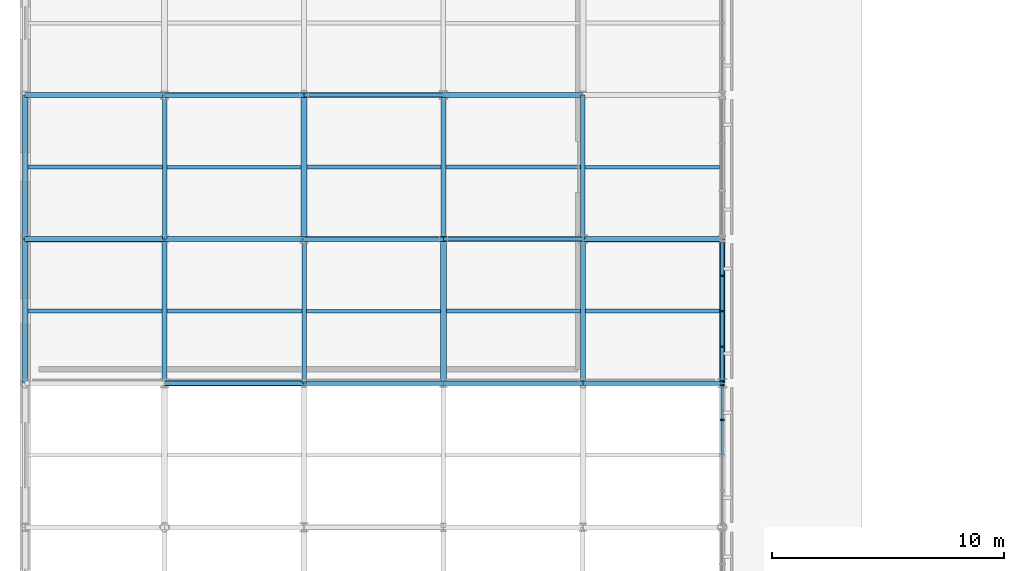
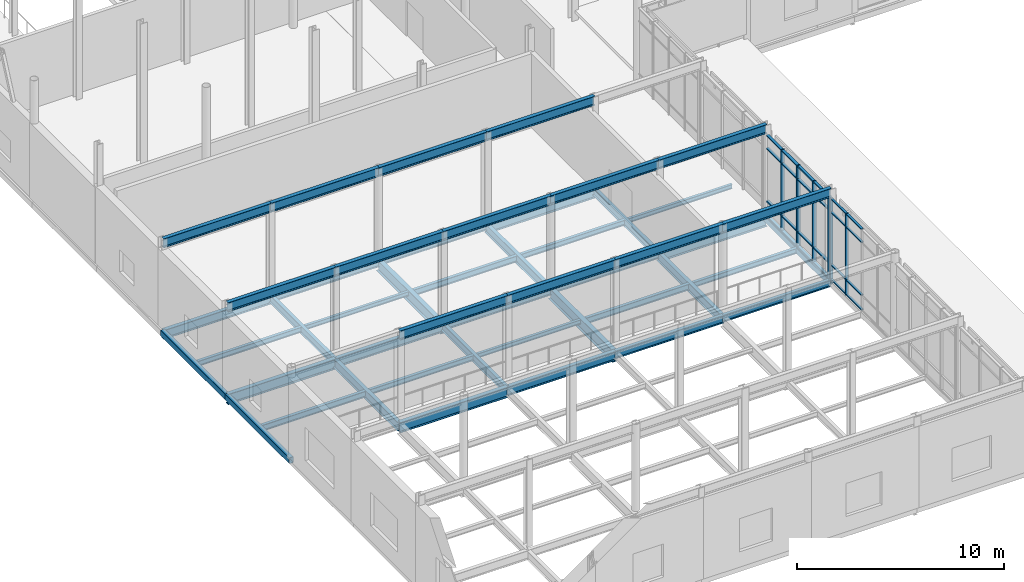
# One storey, part 21 of 105: 47 beams, 30 members, 2 elements without a shape of their own.
"""IFC4 building model written with IfcOpenShell, lengths in metres."""

from ifc_helpers import new_model, si_unit, direction, frame, origin, origin_2d, place, context, subcontext, project, spatial, rectangle, hollow_rectangle, i_section, extrude, material, layer, layer_set, material_profile, profile_set, type_object, element, aggregate, save


model = new_model("IFC4")

# Units and contexts
model_context = context("Model", 3, precision=1e-05, world=origin(), true_north=direction((0.0, 1.0)))
body_context = subcontext(model_context, "Body", "Model", "MODEL_VIEW")
ifc_project = project(units=[si_unit("LENGTHUNIT", "METRE"), si_unit("AREAUNIT", "SQUARE_METRE"), si_unit("VOLUMEUNIT", "CUBIC_METRE"), si_unit("PLANEANGLEUNIT", "RADIAN"), si_unit("MASSUNIT", "GRAM", prefix="KILO")], contexts=[model_context])

# Site, building, storey
site_placement = place(None, origin())
site = spatial("IfcSite", under=ifc_project, at=site_placement, CompositionType="ELEMENT")
building_placement = place(site_placement, origin())
building = spatial("IfcBuilding", under=site, at=building_placement, Name="Mirzam Square Science Centre", CompositionType="ELEMENT")
storey_placement = place(building_placement, frame((0.0, 0.0, 5.39990234375)))
storey = spatial("IfcBuildingStorey", under=building, at=storey_placement, Name="L01", CompositionType="ELEMENT", Elevation=5.39990234375)

# Beams
ifc_material_1 = material(Name="Steel S355", Category="steel")
ifc_material_profile_1 = material_profile(ifc_material_1, i_section(OverallWidth=0.1787109375, OverallDepth=0.409423828125, WebThickness=0.0087890625, FlangeThickness=0.014404296875, FilletRadius=0.01025390625, at=origin_2d()), Name="406x178x67UB")
ifc_profile_set_1 = profile_set([ifc_material_profile_1], Name="Steel S355")
beam_type_1 = type_object("IfcBeamType", Name="BM-UB406", PredefinedType="BEAM", material=ifc_profile_set_1)
for number, where, z_axis, x_axis, name in (
    (1, (24.0, 18.60009765625, -0.464599609375), (1.0, 0.0, 0.0), (0.0, 1.0, 0.0), "L01 girder X5-4"),
    (2, (18.0, 24.800048828125, -0.464599609375), (1.0, 0.0, 0.0), (0.0, 1.0, 0.0), "L01 girder X4-5"),
    (3, (12.0, 31.0, -0.464599609375), (1.0, 0.0, 0.0), (0.0, 1.0, 0.0), "L01 girder X3-6"),
):
    element("IfcBeam", number, at=place(storey_placement, frame(where, z_axis=z_axis, x_axis=x_axis)), inside=storey, type_object=beam_type_1, Name=name, PredefinedType="BEAM", context=body_context, shape_type="SweptSolid", body=[
        extrude(i_section(OverallWidth=0.1787109375, OverallDepth=0.409423828125, WebThickness=0.0087890625, FlangeThickness=0.014404296875, FilletRadius=0.01025390625, at=origin_2d()), origin(), (0.0, 0.0, 1.0), 6.0),
    ])
ifc_material_profile_2 = material_profile(ifc_material_1, i_section(OverallWidth=0.19140625, OverallDepth=0.4599609375, WebThickness=0.010009765625, FlangeThickness=0.01611328125, FilletRadius=0.01025390625, at=origin_2d()), Name="457x191x82UB")
ifc_profile_set_2 = profile_set([ifc_material_profile_2], Name="Steel S355")
beam_type_2 = type_object("IfcBeamType", Name="BM-UB457", PredefinedType="BEAM", material=ifc_profile_set_2)
for number, where, z_axis, x_axis, name in (
    (4, (18.0, 18.60009765625, -0.489990234375), (1.0, 0.0, 0.0), (0.0, 1.0, 0.0), "L01 girder X4-4"),
    (5, (12.0, 24.800048828125, -0.489990234375), (1.0, 0.0, 0.0), (0.0, 1.0, 0.0), "L01 girder X3-5"),
    (6, (6.0, 31.0, -0.489990234375), (1.0, 0.0, 0.0), (0.0, 1.0, 0.0), "L01 girder X2-6"),
):
    element("IfcBeam", number, at=place(storey_placement, frame(where, z_axis=z_axis, x_axis=x_axis)), inside=storey, type_object=beam_type_2, Name=name, PredefinedType="BEAM", context=body_context, shape_type="SweptSolid", body=[
        extrude(i_section(OverallWidth=0.19140625, OverallDepth=0.4599609375, WebThickness=0.010009765625, FlangeThickness=0.01611328125, FilletRadius=0.01025390625, at=origin_2d()), origin(), (0.0, 0.0, 1.0), 6.0),
    ])
for number, where, z_axis, x_axis, name in (
    (7, (6.0, 24.800048828125, -0.489990234375), (0.0, 1.0, 0.0), (-1.0, 0.0, 0.0), "L01 girder Y2-5"),
    (8, (12.0, 18.60009765625, -0.489990234375), (0.0, 1.0, 0.0), (-1.0, 0.0, 0.0), "L01 girder Y3-4"),
    (9, (24.0, 24.800048828125, -0.489990234375), (0.0, 1.0, 0.0), (-1.0, 0.0, 0.0), "L01 girder Y5-5"),
):
    element("IfcBeam", number, at=place(storey_placement, frame(where, z_axis=z_axis, x_axis=x_axis)), inside=storey, type_object=beam_type_2, Name=name, PredefinedType="BEAM", context=body_context, shape_type="SweptSolid", body=[
        extrude(i_section(OverallWidth=0.19140625, OverallDepth=0.4599609375, WebThickness=0.010009765625, FlangeThickness=0.01611328125, FilletRadius=0.01025390625, at=origin_2d()), origin(), (0.0, 0.0, 1.0), 6.199951171875),
    ])
ifc_material_profile_3 = material_profile(ifc_material_1, i_section(OverallWidth=0.2099609375, OverallDepth=0.53662109375, WebThickness=0.0107421875, FlangeThickness=0.017333984375, FilletRadius=0.0126953125, at=origin_2d()), Name="533x210x101UB")
ifc_profile_set_3 = profile_set([ifc_material_profile_3], Name="Steel S355")
beam_type_3 = type_object("IfcBeamType", Name="BM-UB533", PredefinedType="BEAM", material=ifc_profile_set_3)
for number, where, z_axis, x_axis, name in (
    (10, (12.0, 18.60009765625, -0.5283203125), (1.0, 0.0, 0.0), (0.0, 1.0, 0.0), "L01 girder X3-4"),
    (11, (6.0, 24.800048828125, -0.5283203125), (1.0, 0.0, 0.0), (0.0, 1.0, 0.0), "L01 girder X2-5"),
    (12, (0.0, 31.0, -0.5283203125), (1.0, 0.0, 0.0), (0.0, 1.0, 0.0), "L01 girder X1-6"),
):
    element("IfcBeam", number, at=place(storey_placement, frame(where, z_axis=z_axis, x_axis=x_axis)), inside=storey, type_object=beam_type_3, Name=name, PredefinedType="BEAM", context=body_context, shape_type="SweptSolid", body=[
        extrude(i_section(OverallWidth=0.2099609375, OverallDepth=0.53662109375, WebThickness=0.0107421875, FlangeThickness=0.017333984375, FilletRadius=0.0126953125, at=origin_2d()), origin(), (0.0, 0.0, 1.0), 6.0),
    ])
for number, where, z_axis, x_axis, name in (
    (13, (6.0, 18.60009765625, -0.5283203125), (0.0, 1.0, 0.0), (-1.0, 0.0, 0.0), "L01 girder Y2-4"),
    (14, (18.0, 24.800048828125, -0.5283203125), (0.0, 1.0, 0.0), (-1.0, 0.0, 0.0), "L01 girder Y4-5"),
    (15, (24.0, 18.60009765625, -0.5283203125), (0.0, 1.0, 0.0), (-1.0, 0.0, 0.0), "L01 girder Y5-4"),
):
    element("IfcBeam", number, at=place(storey_placement, frame(where, z_axis=z_axis, x_axis=x_axis)), inside=storey, type_object=beam_type_3, Name=name, PredefinedType="BEAM", context=body_context, shape_type="SweptSolid", body=[
        extrude(i_section(OverallWidth=0.2099609375, OverallDepth=0.53662109375, WebThickness=0.0107421875, FlangeThickness=0.017333984375, FilletRadius=0.0126953125, at=origin_2d()), origin(), (0.0, 0.0, 1.0), 6.199951171875),
    ])
for number, where, z_axis, x_axis, name in (
    (16, (6.0, 18.60009765625, 4.86181640625), (1.0, 0.0, 0.0), (0.0, 1.0, 0.0), "SW gallery roof girder 2-4"),
    (17, (12.0, 18.60009765625, 4.86181640625), (1.0, 0.0, 0.0), (0.0, 1.0, 0.0), "SW gallery roof girder 3-4"),
    (18, (18.0, 18.60009765625, 4.86181640625), (1.0, 0.0, 0.0), (0.0, 1.0, 0.0), "SW gallery roof girder 4-4"),
    (19, (24.0, 18.60009765625, 4.86181640625), (1.0, 0.0, 0.0), (0.0, 1.0, 0.0), "SW gallery roof girder 5-4"),
    (20, (0.0, 24.800048828125, 4.86181640625), (1.0, 0.0, 0.0), (0.0, 1.0, 0.0), "SW gallery roof girder 1-5"),
    (21, (6.0, 24.800048828125, 4.86181640625), (1.0, 0.0, 0.0), (0.0, 1.0, 0.0), "SW gallery roof girder 2-5"),
    (22, (12.0, 24.800048828125, 4.86181640625), (1.0, 0.0, 0.0), (0.0, 1.0, 0.0), "SW gallery roof girder 3-5"),
    (23, (18.0, 24.800048828125, 4.86181640625), (1.0, 0.0, 0.0), (0.0, 1.0, 0.0), "SW gallery roof girder 4-5"),
    (24, (24.0, 24.800048828125, 4.86181640625), (1.0, 0.0, 0.0), (0.0, 1.0, 0.0), "SW gallery roof girder 5-5"),
    (25, (0.0, 31.0, 4.86181640625), (1.0, 0.0, 0.0), (0.0, 1.0, 0.0), "SW gallery roof girder 1-6"),
    (26, (6.0, 31.0, 4.86181640625), (1.0, 0.0, 0.0), (0.0, 1.0, 0.0), "SW gallery roof girder 2-6"),
    (27, (12.0, 31.0, 4.86181640625), (1.0, 0.0, 0.0), (0.0, 1.0, 0.0), "SW gallery roof girder 3-6"),
    (28, (18.0, 31.0, 4.86181640625), (1.0, 0.0, 0.0), (0.0, 1.0, 0.0), "SW gallery roof girder 4-6"),
):
    element("IfcBeam", number, at=place(storey_placement, frame(where, z_axis=z_axis, x_axis=x_axis)), inside=storey, type_object=beam_type_3, Name=name, PredefinedType="BEAM", context=body_context, shape_type="SweptSolid", body=[
        extrude(i_section(OverallWidth=0.2099609375, OverallDepth=0.53662109375, WebThickness=0.0107421875, FlangeThickness=0.017333984375, FilletRadius=0.0126953125, at=origin_2d()), origin(), (0.0, 0.0, 1.0), 6.0),
    ])
ifc_material_profile_4 = material_profile(ifc_material_1, i_section(OverallWidth=0.22900390625, OverallDepth=0.6123046875, WebThickness=0.011962890625, FlangeThickness=0.01953125, FilletRadius=0.0126953125, at=origin_2d()), Name="610x229x125UB")
ifc_profile_set_4 = profile_set([ifc_material_profile_4], Name="Steel S355")
beam_type_4 = type_object("IfcBeamType", Name="BM-UB610", PredefinedType="BEAM", material=ifc_profile_set_4)
for number, where, z_axis, x_axis, name in (
    (29, (6.0, 18.60009765625, -0.56591796875), (1.0, 0.0, 0.0), (0.0, 1.0, 0.0), "L01 girder X2-4"),
    (30, (0.0, 24.800048828125, -0.56591796875), (1.0, 0.0, 0.0), (0.0, 1.0, 0.0), "L01 girder X1-5"),
    (31, (24.0, 24.800048828125, -0.56591796875), (1.0, 0.0, 0.0), (0.0, 1.0, 0.0), "L01 girder X5-5"),
    (32, (18.0, 31.0, -0.56591796875), (1.0, 0.0, 0.0), (0.0, 1.0, 0.0), "L01 girder X4-6"),
):
    element("IfcBeam", number, at=place(storey_placement, frame(where, z_axis=z_axis, x_axis=x_axis)), inside=storey, type_object=beam_type_4, Name=name, PredefinedType="BEAM", context=body_context, shape_type="SweptSolid", body=[
        extrude(i_section(OverallWidth=0.22900390625, OverallDepth=0.6123046875, WebThickness=0.011962890625, FlangeThickness=0.01953125, FilletRadius=0.0126953125, at=origin_2d()), origin(), (0.0, 0.0, 1.0), 6.0),
    ])
ifc_material_profile_5 = material_profile(ifc_material_1, i_section(OverallWidth=0.25439453125, OverallDepth=0.6875, WebThickness=0.01318359375, FlangeThickness=0.02099609375, FilletRadius=0.01513671875, at=origin_2d()), Name="686x254x152UB")
ifc_profile_set_5 = profile_set([ifc_material_profile_5], Name="Steel S355")
beam_type_5 = type_object("IfcBeamType", Name="BM-UB686", PredefinedType="BEAM", material=ifc_profile_set_5)
for number, where, z_axis, x_axis, name in (
    (33, (12.0, 24.800048828125, -0.603759765625), (0.0, 1.0, 0.0), (-1.0, 0.0, 0.0), "L01 girder Y3-5"),
    (34, (18.0, 18.60009765625, -0.603759765625), (0.0, 1.0, 0.0), (-1.0, 0.0, 0.0), "L01 girder Y4-4"),
):
    element("IfcBeam", number, at=place(storey_placement, frame(where, z_axis=z_axis, x_axis=x_axis)), inside=storey, type_object=beam_type_5, Name=name, PredefinedType="BEAM", context=body_context, shape_type="SweptSolid", body=[
        extrude(i_section(OverallWidth=0.25439453125, OverallDepth=0.6875, WebThickness=0.01318359375, FlangeThickness=0.02099609375, FilletRadius=0.01513671875, at=origin_2d()), origin(), (0.0, 0.0, 1.0), 6.199951171875),
    ])

# Curtain wall, members
ifc_material_2 = material(Name="Anodised Aluminium and Low-E Solar Glass", Category="aluminium")
ifc_layer_1 = layer(ifc_material_2, 0.159912109375)
ifc_layer_set_1 = layer_set([ifc_layer_1], Name="CW-COURT-B")
curtain_wall_type_1 = type_object("IfcCurtainWallType", Name="CW-COURT-B", PredefinedType="USERDEFINED", material=ifc_layer_set_1)
curtain_wall_1_placement = place(storey_placement, origin())
curtain_wall_1 = element("IfcCurtainWall", 35, at=curtain_wall_1_placement, inside=storey, type_object=curtain_wall_type_1, Name="L01 unitised curtain wall 42", ObjectType="UNITISED CURTAIN WALL", PredefinedType="USERDEFINED")
ifc_material_3 = material(Name="Anodised Architectural Aluminium 6063-T6", Category="aluminium")
ifc_material_profile_6 = material_profile(ifc_material_3, rectangle(XDim=0.06005859375, YDim=0.159912109375, at=origin_2d()), Name="ALU-MULL-160x60x4")
ifc_profile_set_6 = profile_set([ifc_material_profile_6], Name="Anodised Architectural Aluminium 6063-T6")
member_type_1 = type_object("IfcMemberType", Name="CWM-160", PredefinedType="MULLION", material=ifc_profile_set_6)
member_1_placement = place(storey_placement, frame((30.0, 17.0224609375, -0.25), z_axis=(0.0, 0.0, 1.0), x_axis=(0.0, 1.0, 0.0)))
member_1 = element("IfcMember", 36, at=member_1_placement, type_object=member_type_1, Name="CW-04 mullion 4", PredefinedType="MULLION", context=body_context, shape_type="SweptSolid", body=[
    extrude(rectangle(XDim=0.06005859375, YDim=0.159912109375, at=origin_2d()), origin(), (0.0, 0.0, 1.0), 4.800048828125),
])
member_2_placement = place(storey_placement, frame((30.0, 18.514892578125, -0.25), z_axis=(0.0, 0.0, 1.0), x_axis=(0.0, 1.0, 0.0)))
member_2 = element("IfcMember", 37, at=member_2_placement, type_object=member_type_1, Name="CW-04 mullion 5", PredefinedType="MULLION", context=body_context, shape_type="SweptSolid", body=[
    extrude(rectangle(XDim=0.06005859375, YDim=0.159912109375, at=origin_2d()), origin(), (0.0, 0.0, 1.0), 4.800048828125),
])

ifc_layer_2 = layer(ifc_material_2, 0.199951171875)
ifc_layer_set_2 = layer_set([ifc_layer_2], Name="CW-EAST-A")
curtain_wall_type_2 = type_object("IfcCurtainWallType", Name="CW-EAST-A", PredefinedType="USERDEFINED", material=ifc_layer_set_2)
curtain_wall_2_placement = place(storey_placement, origin())
curtain_wall_2 = element("IfcCurtainWall", 38, at=curtain_wall_2_placement, inside=storey, type_object=curtain_wall_type_2, Name="L01 unitised curtain wall 43", ObjectType="UNITISED CURTAIN WALL", PredefinedType="USERDEFINED")
ifc_material_profile_7 = material_profile(ifc_material_3, rectangle(XDim=0.06494140625, YDim=0.199951171875, at=origin_2d()), Name="ALU-MULL-200x65x5")
ifc_profile_set_7 = profile_set([ifc_material_profile_7], Name="Anodised Architectural Aluminium 6063-T6")
member_type_2 = type_object("IfcMemberType", Name="CWM-200", PredefinedType="MULLION", material=ifc_profile_set_7)
member_3_placement = place(storey_placement, frame((30.0, 18.6875, -0.25), z_axis=(0.0, 0.0, 1.0), x_axis=(0.0, 1.0, 0.0)))
member_3 = element("IfcMember", 39, at=member_3_placement, type_object=member_type_2, Name="CW-05 mullion 1", PredefinedType="MULLION", context=body_context, shape_type="SweptSolid", body=[
    extrude(rectangle(XDim=0.06494140625, YDim=0.199951171875, at=origin_2d()), origin(), (0.0, 0.0, 1.0), 4.800048828125),
])
member_4_placement = place(storey_placement, frame((30.0, 20.177490234375, -0.25), z_axis=(0.0, 0.0, 1.0), x_axis=(0.0, 1.0, 0.0)))
member_4 = element("IfcMember", 40, at=member_4_placement, type_object=member_type_2, Name="CW-05 mullion 2", PredefinedType="MULLION", context=body_context, shape_type="SweptSolid", body=[
    extrude(rectangle(XDim=0.06494140625, YDim=0.199951171875, at=origin_2d()), origin(), (0.0, 0.0, 1.0), 4.800048828125),
])
member_5_placement = place(storey_placement, frame((30.0, 21.699951171875, -0.25), z_axis=(0.0, 0.0, 1.0), x_axis=(0.0, 1.0, 0.0)))
member_5 = element("IfcMember", 41, at=member_5_placement, type_object=member_type_2, Name="CW-05 mullion 3", PredefinedType="MULLION", context=body_context, shape_type="SweptSolid", body=[
    extrude(rectangle(XDim=0.06494140625, YDim=0.199951171875, at=origin_2d()), origin(), (0.0, 0.0, 1.0), 4.800048828125),
])
member_6_placement = place(storey_placement, frame((30.0, 23.222412109375, -0.25), z_axis=(0.0, 0.0, 1.0), x_axis=(0.0, 1.0, 0.0)))
member_6 = element("IfcMember", 42, at=member_6_placement, type_object=member_type_2, Name="CW-05 mullion 4", PredefinedType="MULLION", context=body_context, shape_type="SweptSolid", body=[
    extrude(rectangle(XDim=0.06494140625, YDim=0.199951171875, at=origin_2d()), origin(), (0.0, 0.0, 1.0), 4.800048828125),
])

# Member
ifc_material_profile_8 = material_profile(ifc_material_3, rectangle(XDim=0.1201171875, YDim=0.06005859375, at=origin_2d()), Name="ALU-TRAN-120x60x4")
ifc_profile_set_8 = profile_set([ifc_material_profile_8], Name="Anodised Architectural Aluminium 6063-T6")
member_type_3 = type_object("IfcMemberType", Name="CWT-120", PredefinedType="USERDEFINED", material=ifc_profile_set_8)
member_7_placement = place(storey_placement, frame((30.0, 15.530029296875, -0.219970703125), z_axis=(0.0, 1.0, 0.0), x_axis=(-1.0, 0.0, 0.0)))
member_7 = element("IfcMember", 43, at=member_7_placement, type_object=member_type_3, Name="CW-04 transom 3.1", ObjectType="TRANSOM", PredefinedType="USERDEFINED", context=body_context, shape_type="SweptSolid", body=[
    extrude(rectangle(XDim=0.1201171875, YDim=0.06005859375, at=origin_2d()), origin(), (0.0, 0.0, 1.0), 1.46240234375),
])

member_8_placement = place(storey_placement, frame((30.0, 15.530029296875, 0.650146484375), z_axis=(0.0, 1.0, 0.0), x_axis=(-1.0, 0.0, 0.0)))
member_8 = element("IfcMember", 44, at=member_8_placement, type_object=member_type_3, Name="CW-04 transom 3.2", ObjectType="TRANSOM", PredefinedType="USERDEFINED", context=body_context, shape_type="SweptSolid", body=[
    extrude(rectangle(XDim=0.1201171875, YDim=0.06005859375, at=origin_2d()), origin(), (0.0, 0.0, 1.0), 1.46240234375),
])

member_9_placement = place(storey_placement, frame((30.0, 15.530029296875, 3.75), z_axis=(0.0, 1.0, 0.0), x_axis=(-1.0, 0.0, 0.0)))
member_9 = element("IfcMember", 45, at=member_9_placement, type_object=member_type_3, Name="CW-04 transom 3.3", ObjectType="TRANSOM", PredefinedType="USERDEFINED", context=body_context, shape_type="SweptSolid", body=[
    extrude(rectangle(XDim=0.1201171875, YDim=0.06005859375, at=origin_2d()), origin(), (0.0, 0.0, 1.0), 1.46240234375),
])

member_10_placement = place(storey_placement, frame((30.0, 15.530029296875, 4.52001953125), z_axis=(0.0, 1.0, 0.0), x_axis=(-1.0, 0.0, 0.0)))
member_10 = element("IfcMember", 46, at=member_10_placement, type_object=member_type_3, Name="CW-04 transom 3.4", ObjectType="TRANSOM", PredefinedType="USERDEFINED", context=body_context, shape_type="SweptSolid", body=[
    extrude(rectangle(XDim=0.1201171875, YDim=0.06005859375, at=origin_2d()), origin(), (0.0, 0.0, 1.0), 1.46240234375),
])

member_11_placement = place(storey_placement, frame((30.0, 17.052490234375, -0.219970703125), z_axis=(0.0, 1.0, 0.0), x_axis=(-1.0, 0.0, 0.0)))
member_11 = element("IfcMember", 47, at=member_11_placement, type_object=member_type_3, Name="CW-04 transom 4.1", ObjectType="TRANSOM", PredefinedType="USERDEFINED", context=body_context, shape_type="SweptSolid", body=[
    extrude(rectangle(XDim=0.1201171875, YDim=0.06005859375, at=origin_2d()), origin(), (0.0, 0.0, 1.0), 1.4326171875),
])

member_12_placement = place(storey_placement, frame((30.0, 17.052490234375, 0.650146484375), z_axis=(0.0, 1.0, 0.0), x_axis=(-1.0, 0.0, 0.0)))
member_12 = element("IfcMember", 48, at=member_12_placement, type_object=member_type_3, Name="CW-04 transom 4.2", ObjectType="TRANSOM", PredefinedType="USERDEFINED", context=body_context, shape_type="SweptSolid", body=[
    extrude(rectangle(XDim=0.1201171875, YDim=0.06005859375, at=origin_2d()), origin(), (0.0, 0.0, 1.0), 1.4326171875),
])

member_13_placement = place(storey_placement, frame((30.0, 17.052490234375, 3.75), z_axis=(0.0, 1.0, 0.0), x_axis=(-1.0, 0.0, 0.0)))
member_13 = element("IfcMember", 49, at=member_13_placement, type_object=member_type_3, Name="CW-04 transom 4.3", ObjectType="TRANSOM", PredefinedType="USERDEFINED", context=body_context, shape_type="SweptSolid", body=[
    extrude(rectangle(XDim=0.1201171875, YDim=0.06005859375, at=origin_2d()), origin(), (0.0, 0.0, 1.0), 1.4326171875),
])

member_14_placement = place(storey_placement, frame((30.0, 17.052490234375, 4.52001953125), z_axis=(0.0, 1.0, 0.0), x_axis=(-1.0, 0.0, 0.0)))
member_14 = element("IfcMember", 50, at=member_14_placement, type_object=member_type_3, Name="CW-04 transom 4.4", ObjectType="TRANSOM", PredefinedType="USERDEFINED", context=body_context, shape_type="SweptSolid", body=[
    extrude(rectangle(XDim=0.1201171875, YDim=0.06005859375, at=origin_2d()), origin(), (0.0, 0.0, 1.0), 1.4326171875),
])

aggregate(curtain_wall_1, [member_1, member_2, member_7, member_8, member_9, member_10, member_11, member_12, member_13, member_14])

ifc_material_profile_9 = material_profile(ifc_material_3, rectangle(XDim=0.14990234375, YDim=0.06494140625, at=origin_2d()), Name="ALU-TRAN-150x65x4")
ifc_profile_set_9 = profile_set([ifc_material_profile_9], Name="Anodised Architectural Aluminium 6063-T6")
member_type_4 = type_object("IfcMemberType", Name="CWT-150", PredefinedType="USERDEFINED", material=ifc_profile_set_9)
member_15_placement = place(storey_placement, frame((30.0, 18.719970703125, -0.21728515625), z_axis=(0.0, 1.0, 0.0), x_axis=(-1.0, 0.0, 0.0)))
member_15 = element("IfcMember", 51, at=member_15_placement, type_object=member_type_4, Name="CW-05 transom 1.1", ObjectType="TRANSOM", PredefinedType="USERDEFINED", context=body_context, shape_type="SweptSolid", body=[
    extrude(rectangle(XDim=0.14990234375, YDim=0.06494140625, at=origin_2d()), origin(), (0.0, 0.0, 1.0), 1.425048828125),
])

member_16_placement = place(storey_placement, frame((30.0, 18.719970703125, 0.650146484375), z_axis=(0.0, 1.0, 0.0), x_axis=(-1.0, 0.0, 0.0)))
member_16 = element("IfcMember", 52, at=member_16_placement, type_object=member_type_4, Name="CW-05 transom 1.2", ObjectType="TRANSOM", PredefinedType="USERDEFINED", context=body_context, shape_type="SweptSolid", body=[
    extrude(rectangle(XDim=0.14990234375, YDim=0.06494140625, at=origin_2d()), origin(), (0.0, 0.0, 1.0), 1.425048828125),
])

member_17_placement = place(storey_placement, frame((30.0, 18.719970703125, 3.75), z_axis=(0.0, 1.0, 0.0), x_axis=(-1.0, 0.0, 0.0)))
member_17 = element("IfcMember", 53, at=member_17_placement, type_object=member_type_4, Name="CW-05 transom 1.3", ObjectType="TRANSOM", PredefinedType="USERDEFINED", context=body_context, shape_type="SweptSolid", body=[
    extrude(rectangle(XDim=0.14990234375, YDim=0.06494140625, at=origin_2d()), origin(), (0.0, 0.0, 1.0), 1.425048828125),
])

member_18_placement = place(storey_placement, frame((30.0, 18.719970703125, 4.517578125), z_axis=(0.0, 1.0, 0.0), x_axis=(-1.0, 0.0, 0.0)))
member_18 = element("IfcMember", 54, at=member_18_placement, type_object=member_type_4, Name="CW-05 transom 1.4", ObjectType="TRANSOM", PredefinedType="USERDEFINED", context=body_context, shape_type="SweptSolid", body=[
    extrude(rectangle(XDim=0.14990234375, YDim=0.06494140625, at=origin_2d()), origin(), (0.0, 0.0, 1.0), 1.425048828125),
])

member_19_placement = place(storey_placement, frame((30.0, 20.2099609375, -0.21728515625), z_axis=(0.0, 1.0, 0.0), x_axis=(-1.0, 0.0, 0.0)))
member_19 = element("IfcMember", 55, at=member_19_placement, type_object=member_type_4, Name="CW-05 transom 2.1", ObjectType="TRANSOM", PredefinedType="USERDEFINED", context=body_context, shape_type="SweptSolid", body=[
    extrude(rectangle(XDim=0.14990234375, YDim=0.06494140625, at=origin_2d()), origin(), (0.0, 0.0, 1.0), 1.45751953125),
])

member_20_placement = place(storey_placement, frame((30.0, 20.2099609375, 0.650146484375), z_axis=(0.0, 1.0, 0.0), x_axis=(-1.0, 0.0, 0.0)))
member_20 = element("IfcMember", 56, at=member_20_placement, type_object=member_type_4, Name="CW-05 transom 2.2", ObjectType="TRANSOM", PredefinedType="USERDEFINED", context=body_context, shape_type="SweptSolid", body=[
    extrude(rectangle(XDim=0.14990234375, YDim=0.06494140625, at=origin_2d()), origin(), (0.0, 0.0, 1.0), 1.45751953125),
])

member_21_placement = place(storey_placement, frame((30.0, 20.2099609375, 3.75), z_axis=(0.0, 1.0, 0.0), x_axis=(-1.0, 0.0, 0.0)))
member_21 = element("IfcMember", 57, at=member_21_placement, type_object=member_type_4, Name="CW-05 transom 2.3", ObjectType="TRANSOM", PredefinedType="USERDEFINED", context=body_context, shape_type="SweptSolid", body=[
    extrude(rectangle(XDim=0.14990234375, YDim=0.06494140625, at=origin_2d()), origin(), (0.0, 0.0, 1.0), 1.45751953125),
])

member_22_placement = place(storey_placement, frame((30.0, 20.2099609375, 4.517578125), z_axis=(0.0, 1.0, 0.0), x_axis=(-1.0, 0.0, 0.0)))
member_22 = element("IfcMember", 58, at=member_22_placement, type_object=member_type_4, Name="CW-05 transom 2.4", ObjectType="TRANSOM", PredefinedType="USERDEFINED", context=body_context, shape_type="SweptSolid", body=[
    extrude(rectangle(XDim=0.14990234375, YDim=0.06494140625, at=origin_2d()), origin(), (0.0, 0.0, 1.0), 1.45751953125),
])

member_23_placement = place(storey_placement, frame((30.0, 21.732421875, -0.21728515625), z_axis=(0.0, 1.0, 0.0), x_axis=(-1.0, 0.0, 0.0)))
member_23 = element("IfcMember", 59, at=member_23_placement, type_object=member_type_4, Name="CW-05 transom 3.1", ObjectType="TRANSOM", PredefinedType="USERDEFINED", context=body_context, shape_type="SweptSolid", body=[
    extrude(rectangle(XDim=0.14990234375, YDim=0.06494140625, at=origin_2d()), origin(), (0.0, 0.0, 1.0), 1.45751953125),
])

member_24_placement = place(storey_placement, frame((30.0, 21.732421875, 0.650146484375), z_axis=(0.0, 1.0, 0.0), x_axis=(-1.0, 0.0, 0.0)))
member_24 = element("IfcMember", 60, at=member_24_placement, type_object=member_type_4, Name="CW-05 transom 3.2", ObjectType="TRANSOM", PredefinedType="USERDEFINED", context=body_context, shape_type="SweptSolid", body=[
    extrude(rectangle(XDim=0.14990234375, YDim=0.06494140625, at=origin_2d()), origin(), (0.0, 0.0, 1.0), 1.45751953125),
])

member_25_placement = place(storey_placement, frame((30.0, 21.732421875, 3.75), z_axis=(0.0, 1.0, 0.0), x_axis=(-1.0, 0.0, 0.0)))
member_25 = element("IfcMember", 61, at=member_25_placement, type_object=member_type_4, Name="CW-05 transom 3.3", ObjectType="TRANSOM", PredefinedType="USERDEFINED", context=body_context, shape_type="SweptSolid", body=[
    extrude(rectangle(XDim=0.14990234375, YDim=0.06494140625, at=origin_2d()), origin(), (0.0, 0.0, 1.0), 1.45751953125),
])

member_26_placement = place(storey_placement, frame((30.0, 21.732421875, 4.517578125), z_axis=(0.0, 1.0, 0.0), x_axis=(-1.0, 0.0, 0.0)))
member_26 = element("IfcMember", 62, at=member_26_placement, type_object=member_type_4, Name="CW-05 transom 3.4", ObjectType="TRANSOM", PredefinedType="USERDEFINED", context=body_context, shape_type="SweptSolid", body=[
    extrude(rectangle(XDim=0.14990234375, YDim=0.06494140625, at=origin_2d()), origin(), (0.0, 0.0, 1.0), 1.45751953125),
])

member_27_placement = place(storey_placement, frame((30.0, 23.2548828125, -0.21728515625), z_axis=(0.0, 1.0, 0.0), x_axis=(-1.0, 0.0, 0.0)))
member_27 = element("IfcMember", 63, at=member_27_placement, type_object=member_type_4, Name="CW-05 transom 4.1", ObjectType="TRANSOM", PredefinedType="USERDEFINED", context=body_context, shape_type="SweptSolid", body=[
    extrude(rectangle(XDim=0.14990234375, YDim=0.06494140625, at=origin_2d()), origin(), (0.0, 0.0, 1.0), 1.425048828125),
])

member_28_placement = place(storey_placement, frame((30.0, 23.2548828125, 0.650146484375), z_axis=(0.0, 1.0, 0.0), x_axis=(-1.0, 0.0, 0.0)))
member_28 = element("IfcMember", 64, at=member_28_placement, type_object=member_type_4, Name="CW-05 transom 4.2", ObjectType="TRANSOM", PredefinedType="USERDEFINED", context=body_context, shape_type="SweptSolid", body=[
    extrude(rectangle(XDim=0.14990234375, YDim=0.06494140625, at=origin_2d()), origin(), (0.0, 0.0, 1.0), 1.425048828125),
])

member_29_placement = place(storey_placement, frame((30.0, 23.2548828125, 3.75), z_axis=(0.0, 1.0, 0.0), x_axis=(-1.0, 0.0, 0.0)))
member_29 = element("IfcMember", 65, at=member_29_placement, type_object=member_type_4, Name="CW-05 transom 4.3", ObjectType="TRANSOM", PredefinedType="USERDEFINED", context=body_context, shape_type="SweptSolid", body=[
    extrude(rectangle(XDim=0.14990234375, YDim=0.06494140625, at=origin_2d()), origin(), (0.0, 0.0, 1.0), 1.425048828125),
])

member_30_placement = place(storey_placement, frame((30.0, 23.2548828125, 4.517578125), z_axis=(0.0, 1.0, 0.0), x_axis=(-1.0, 0.0, 0.0)))
member_30 = element("IfcMember", 66, at=member_30_placement, type_object=member_type_4, Name="CW-05 transom 4.4", ObjectType="TRANSOM", PredefinedType="USERDEFINED", context=body_context, shape_type="SweptSolid", body=[
    extrude(rectangle(XDim=0.14990234375, YDim=0.06494140625, at=origin_2d()), origin(), (0.0, 0.0, 1.0), 1.425048828125),
])

aggregate(curtain_wall_2, [member_3, member_4, member_5, member_6, member_15, member_16, member_17, member_18, member_19, member_20, member_21, member_22, member_23, member_24, member_25, member_26, member_27, member_28, member_29, member_30])

# Beams
ifc_material_profile_10 = material_profile(ifc_material_1, i_section(OverallWidth=0.146484375, OverallDepth=0.256103515625, WebThickness=0.00634765625, FlangeThickness=0.010986328125, FilletRadius=0.007568359375, at=origin_2d()), Name="254x146x37UB")
ifc_profile_set_10 = profile_set([ifc_material_profile_10], Name="Steel S355")
beam_type_6 = type_object("IfcBeamType", Name="JS-UB254", PredefinedType="JOIST", material=ifc_profile_set_10)
for number, where, z_axis, x_axis, name in (
    (67, (6.095703125, 27.89990234375, -0.387939453125), (1.0, 0.0, 0.0), (0.0, 1.0, 0.0), "L01 composite joist 2-5"),
    (68, (12.095703125, 21.699951171875, -0.387939453125), (1.0, 0.0, 0.0), (0.0, 1.0, 0.0), "L01 composite joist 3-4"),
):
    element("IfcBeam", number, at=place(storey_placement, frame(where, z_axis=z_axis, x_axis=x_axis)), inside=storey, type_object=beam_type_6, Name=name, PredefinedType="JOIST", context=body_context, shape_type="SweptSolid", body=[
        extrude(i_section(OverallWidth=0.146484375, OverallDepth=0.256103515625, WebThickness=0.00634765625, FlangeThickness=0.010986328125, FilletRadius=0.007568359375, at=origin_2d()), origin(), (0.0, 0.0, 1.0), 5.777099609375),
    ])
beam_1_placement = place(storey_placement, frame((24.095703125, 27.89990234375, -0.387939453125), z_axis=(1.0, 0.0, 0.0), x_axis=(0.0, 1.0, 0.0)))
element("IfcBeam", 69, at=beam_1_placement, inside=storey, type_object=beam_type_6, Name="L01 composite joist 5-5", PredefinedType="JOIST", context=body_context, shape_type="SweptSolid", body=[
    extrude(i_section(OverallWidth=0.146484375, OverallDepth=0.256103515625, WebThickness=0.00634765625, FlangeThickness=0.010986328125, FilletRadius=0.007568359375, at=origin_2d()), origin(), (0.0, 0.0, 1.0), 5.779296875),
])
ifc_material_profile_11 = material_profile(ifc_material_1, i_section(OverallWidth=0.165771484375, OverallDepth=0.306640625, WebThickness=0.006591796875, FlangeThickness=0.01171875, FilletRadius=0.0087890625, at=origin_2d()), Name="305x165x46UB")
ifc_profile_set_11 = profile_set([ifc_material_profile_11], Name="Steel S355")
beam_type_7 = type_object("IfcBeamType", Name="JS-UB305", PredefinedType="JOIST", material=ifc_profile_set_11)
beam_2_placement = place(storey_placement, frame((0.125, 27.89990234375, -0.4130859375), z_axis=(1.0, 0.0, 0.0), x_axis=(0.0, 1.0, 0.0)))
element("IfcBeam", 70, at=beam_2_placement, inside=storey, type_object=beam_type_7, Name="L01 composite joist 1-5", PredefinedType="JOIST", context=body_context, shape_type="SweptSolid", body=[
    extrude(i_section(OverallWidth=0.165771484375, OverallDepth=0.306640625, WebThickness=0.006591796875, FlangeThickness=0.01171875, FilletRadius=0.0087890625, at=origin_2d()), origin(), (0.0, 0.0, 1.0), 5.779296875),
])
for number, where, z_axis, x_axis, name in (
    (71, (6.10498046875, 21.699951171875, -0.4130859375), (1.0, 0.0, 0.0), (0.0, 1.0, 0.0), "L01 composite joist 2-4"),
    (72, (18.10498046875, 27.89990234375, -0.4130859375), (1.0, 0.0, 0.0), (0.0, 1.0, 0.0), "L01 composite joist 4-5"),
):
    element("IfcBeam", number, at=place(storey_placement, frame(where, z_axis=z_axis, x_axis=x_axis)), inside=storey, type_object=beam_type_7, Name=name, PredefinedType="JOIST", context=body_context, shape_type="SweptSolid", body=[
        extrude(i_section(OverallWidth=0.165771484375, OverallDepth=0.306640625, WebThickness=0.006591796875, FlangeThickness=0.01171875, FilletRadius=0.0087890625, at=origin_2d()), origin(), (0.0, 0.0, 1.0), 5.79931640625),
    ])
beam_3_placement = place(storey_placement, frame((24.10498046875, 21.699951171875, -0.4130859375), z_axis=(1.0, 0.0, 0.0), x_axis=(0.0, 1.0, 0.0)))
element("IfcBeam", 73, at=beam_3_placement, inside=storey, type_object=beam_type_7, Name="L01 composite joist 5-4", PredefinedType="JOIST", context=body_context, shape_type="SweptSolid", body=[
    extrude(i_section(OverallWidth=0.165771484375, OverallDepth=0.306640625, WebThickness=0.006591796875, FlangeThickness=0.01171875, FilletRadius=0.0087890625, at=origin_2d()), origin(), (0.0, 0.0, 1.0), 5.77001953125),
])
ifc_material_profile_12 = material_profile(ifc_material_1, i_section(OverallWidth=0.172119140625, OverallDepth=0.35791015625, WebThickness=0.008056640625, FlangeThickness=0.012939453125, FilletRadius=0.01025390625, at=origin_2d()), Name="356x171x57UB")
ifc_profile_set_12 = profile_set([ifc_material_profile_12], Name="Steel S355")
beam_type_8 = type_object("IfcBeamType", Name="JS-UB356", PredefinedType="JOIST", material=ifc_profile_set_12)
beam_4_placement = place(storey_placement, frame((0.125, 21.699951171875, -0.43896484375), z_axis=(1.0, 0.0, 0.0), x_axis=(0.0, 1.0, 0.0)))
element("IfcBeam", 74, at=beam_4_placement, inside=storey, type_object=beam_type_8, Name="L01 composite joist 1-4", PredefinedType="JOIST", context=body_context, shape_type="SweptSolid", body=[
    extrude(i_section(OverallWidth=0.172119140625, OverallDepth=0.35791015625, WebThickness=0.008056640625, FlangeThickness=0.012939453125, FilletRadius=0.01025390625, at=origin_2d()), origin(), (0.0, 0.0, 1.0), 5.77001953125),
])
for number, where, z_axis, x_axis, name in (
    (75, (12.127197265625, 27.89990234375, -0.43896484375), (1.0, 0.0, 0.0), (0.0, 1.0, 0.0), "L01 composite joist 3-5"),
    (76, (18.127197265625, 21.699951171875, -0.43896484375), (1.0, 0.0, 0.0), (0.0, 1.0, 0.0), "L01 composite joist 4-4"),
):
    element("IfcBeam", number, at=place(storey_placement, frame(where, z_axis=z_axis, x_axis=x_axis)), inside=storey, type_object=beam_type_8, Name=name, PredefinedType="JOIST", context=body_context, shape_type="SweptSolid", body=[
        extrude(i_section(OverallWidth=0.172119140625, OverallDepth=0.35791015625, WebThickness=0.008056640625, FlangeThickness=0.012939453125, FilletRadius=0.01025390625, at=origin_2d()), origin(), (0.0, 0.0, 1.0), 5.767822265625),
    ])
ifc_material_profile_13 = material_profile(ifc_material_1, hollow_rectangle(XDim=0.25, YDim=0.35009765625, WallThickness=0.012451171875, InnerFilletRadius=0.012451171875, OuterFilletRadius=0.02490234375, at=origin_2d()), Name="350x250x12.5RHS")
ifc_profile_set_13 = profile_set([ifc_material_profile_13], Name="Steel S355")
beam_type_9 = type_object("IfcBeamType", Name="SP-RHS350", PredefinedType="SPANDREL", material=ifc_profile_set_13)
for number, where, z_axis, x_axis, name in (
    (77, (0.0, 18.60009765625, -0.434814453125), (0.0, 1.0, 0.0), (-1.0, 0.0, 0.0), "L01 girder Y1-4"),
    (78, (0.0, 24.800048828125, -0.434814453125), (0.0, 1.0, 0.0), (-1.0, 0.0, 0.0), "L01 girder Y1-5"),
    (79, (30.0, 18.60009765625, -0.434814453125), (0.0, 1.0, 0.0), (-1.0, 0.0, 0.0), "L01 girder Y6-4"),
):
    element("IfcBeam", number, at=place(storey_placement, frame(where, z_axis=z_axis, x_axis=x_axis)), inside=storey, type_object=beam_type_9, Name=name, PredefinedType="SPANDREL", context=body_context, shape_type="SweptSolid", body=[
        extrude(hollow_rectangle(XDim=0.25, YDim=0.35009765625, WallThickness=0.012451171875, InnerFilletRadius=0.012451171875, OuterFilletRadius=0.02490234375, at=origin_2d()), origin(), (0.0, 0.0, 1.0), 6.199951171875),
    ])

save(model, "model.ifc")
